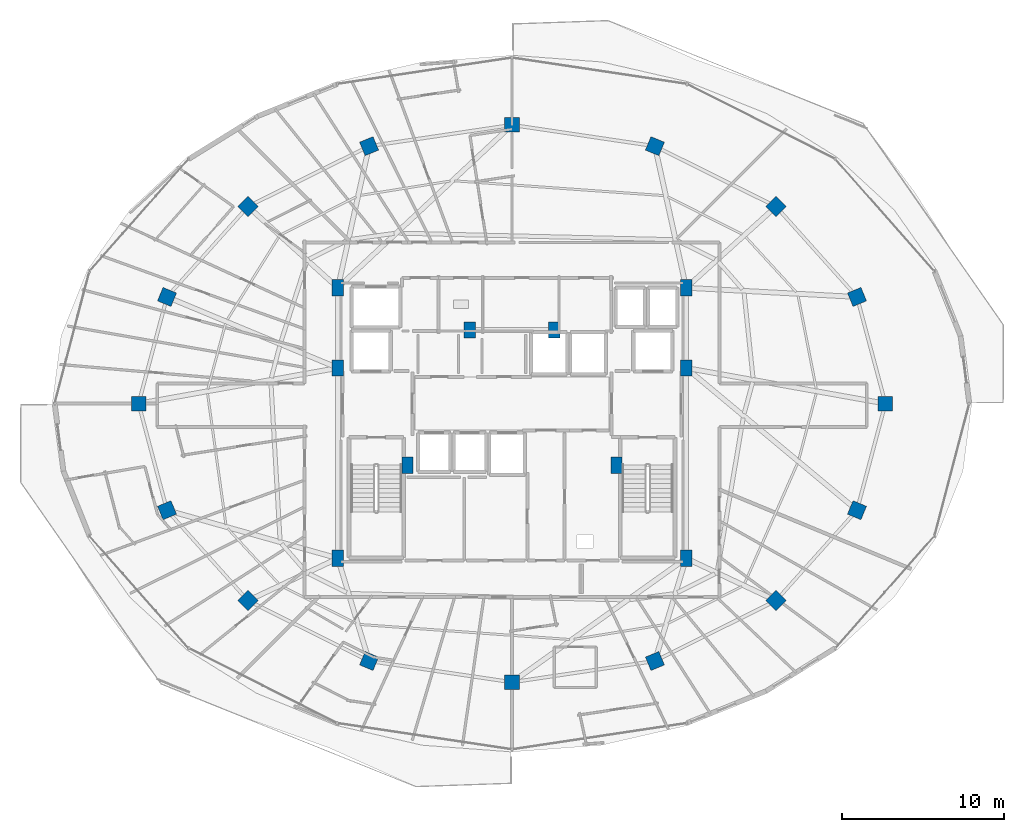
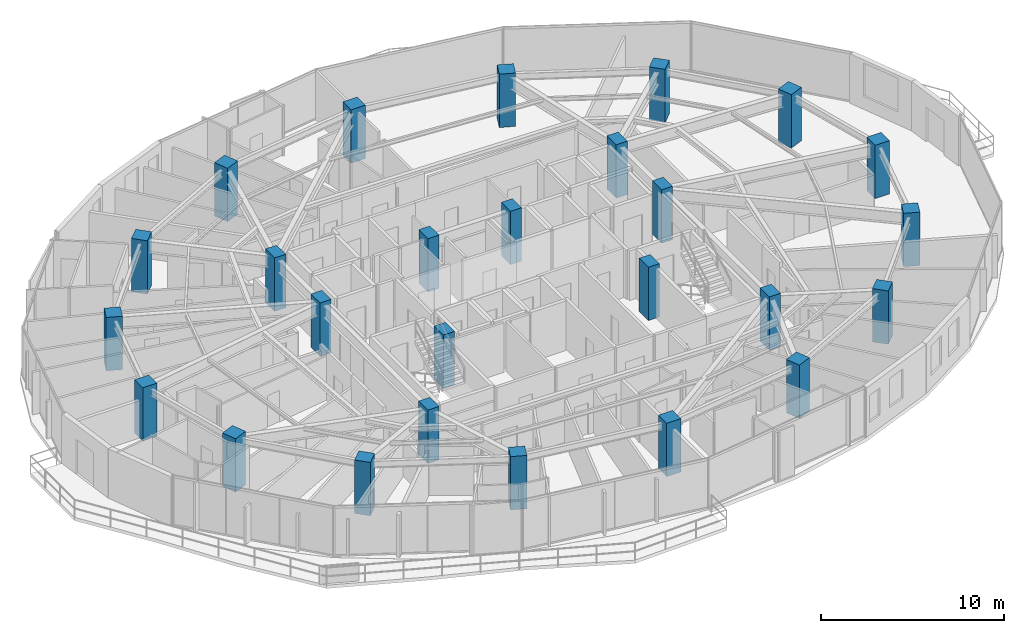
# One storey, part 1 of 33: 26 columns.
"""IFC4 building model written with IfcOpenShell, lengths in metres."""

from ifc_helpers import new_model, si_unit, direction, frame, origin, origin_2d, place, context, subcontext, project, spatial, rectangle, extrude, material, material_profile, profile_set, type_object, element, save


model = new_model("IFC4")

# Units and contexts
model_context = context("Model", 3, precision=1e-05, world=origin(), true_north=direction((0.0, 1.0)))
body_context = subcontext(model_context, "Body", "Model", "MODEL_VIEW")
ifc_project = project(units=[si_unit("LENGTHUNIT", "METRE"), si_unit("AREAUNIT", "SQUARE_METRE"), si_unit("VOLUMEUNIT", "CUBIC_METRE"), si_unit("PLANEANGLEUNIT", "RADIAN"), si_unit("MASSUNIT", "GRAM", prefix="KILO")], contexts=[model_context])

# Site, building, storey
site_placement = place(None, origin())
site = spatial("IfcSite", under=ifc_project, at=site_placement, CompositionType="ELEMENT")
building_placement = place(site_placement, origin())
building = spatial("IfcBuilding", under=site, at=building_placement, Name="Vorneva Point Tower", CompositionType="ELEMENT")
storey_placement = place(building_placement, frame((0.0, 0.0, 200.10009765625)))
storey = spatial("IfcBuildingStorey", under=building, at=storey_placement, Name="L54", CompositionType="ELEMENT", Elevation=200.10009765625)

# Columns
ifc_material = material(Name="Concrete B50 (C40/50)", Category="concrete")
ifc_material_profile_1 = material_profile(ifc_material, rectangle(XDim=0.89990234375, YDim=0.89990234375, at=origin_2d()), Name="RC-COL 900x900")
ifc_profile_set_1 = profile_set([ifc_material_profile_1], Name="Concrete B50 (C40/50)")
column_type_1 = type_object("IfcColumnType", Name="COL-RC900", PredefinedType="COLUMN", material=ifc_profile_set_1)
for number, where, z_axis, x_axis, name in (
    (1, (61.050048828125, 26.0, 0.0), (0.0, 0.0, 1.0), (1.0, 0.0, 0.0), "L54 Perimeter Column P01"),
    (2, (59.29541015625, 32.582275390625, 0.0), (0.0, 0.0, 1.0), (0.923879532511, 0.382683432365, 0.0), "L54 Perimeter Column P02"),
    (3, (54.298828125, 38.162109375, 0.0), (0.0, 0.0, 1.0), (0.707106781187, 0.707106781187, 0.0), "L54 Perimeter Column P03"),
    (4, (46.82080078125, 41.890625, 0.0), (0.0, 0.0, 1.0), (0.382683432365, 0.923879532511, 0.0), "L54 Perimeter Column P04"),
    (5, (38.0, 43.199951171875, 0.0), (0.0, 0.0, 1.0), (0.0, 1.0, 0.0), "L54 Perimeter Column P05"),
    (6, (29.17919921875, 41.890625, 0.0), (0.0, 0.0, 1.0), (-0.382683432365, 0.923879532511, 0.0), "L54 Perimeter Column P06"),
    (7, (21.701171875, 38.162109375, 0.0), (0.0, 0.0, 1.0), (-0.707106781187, 0.707106781187, 0.0), "L54 Perimeter Column P07"),
    (8, (16.70458984375, 32.582275390625, 0.0), (0.0, 0.0, 1.0), (-0.923879532511, 0.382683432365, 0.0), "L54 Perimeter Column P08"),
    (9, (14.949951171875, 26.0, 0.0), (0.0, 0.0, 1.0), (-1.0, 0.0, 0.0), "L54 Perimeter Column P09"),
    (10, (16.70458984375, 19.417724609375, 0.0), (0.0, 0.0, 1.0), (-0.923879532511, -0.382683432365, 0.0), "L54 Perimeter Column P10"),
    (11, (21.701171875, 13.837890625, 0.0), (0.0, 0.0, 1.0), (-0.707106781187, -0.707106781187, 0.0), "L54 Perimeter Column P11"),
    (12, (29.17919921875, 10.109375, 0.0), (0.0, 0.0, 1.0), (-0.382683432365, -0.923879532511, 0.0), "L54 Perimeter Column P12"),
    (13, (38.0, 8.800048828125, 0.0), (0.0, 0.0, 1.0), (0.0, -1.0, 0.0), "L54 Perimeter Column P13"),
    (14, (46.82080078125, 10.109375, 0.0), (0.0, 0.0, 1.0), (0.382683432365, -0.923879532511, 0.0), "L54 Perimeter Column P14"),
    (15, (54.298828125, 13.837890625, 0.0), (0.0, 0.0, 1.0), (0.707106781187, -0.707106781187, 0.0), "L54 Perimeter Column P15"),
    (16, (59.29541015625, 19.417724609375, 0.0), (0.0, 0.0, 1.0), (0.923879532511, -0.382683432365, 0.0), "L54 Perimeter Column P16"),
):
    element("IfcColumn", number, at=place(storey_placement, frame(where, z_axis=z_axis, x_axis=x_axis)), inside=storey, type_object=column_type_1, Name=name, PredefinedType="COLUMN", context=body_context, shape_type="SweptSolid", body=[
        extrude(rectangle(XDim=0.89990234375, YDim=0.89990234375, at=origin_2d()), origin(), (0.0, 0.0, 1.0), 3.5498046875),
    ])
ifc_material_profile_2 = material_profile(ifc_material, rectangle(XDim=0.699951171875, YDim=1.0, at=origin_2d()), Name="RC-PIL 1000x700")
ifc_profile_set_2 = profile_set([ifc_material_profile_2], Name="Concrete B50 (C40/50)")
column_type_2 = type_object("IfcColumnType", Name="PIL-RC1000x700", PredefinedType="PILASTER", material=ifc_profile_set_2)
for number, where, z_axis, x_axis, name in (
    (17, (27.25, 16.449951171875, 0.0), (0.0, 0.0, 1.0), (1.0, 0.0, 0.0), "L54 Core Pilaster CP1"),
    (18, (27.25, 28.199951171875, 0.0), (0.0, 0.0, 1.0), (1.0, 0.0, 0.0), "L54 Core Pilaster CP2"),
    (19, (27.25, 33.14990234375, 0.0), (0.0, 0.0, 1.0), (1.0, 0.0, 0.0), "L54 Core Pilaster CP3"),
    (20, (31.550048828125, 22.199951171875, 0.0), (0.0, 0.0, 1.0), (1.0, 0.0, 0.0), "L54 Core Pilaster CP4"),
    (21, (48.75, 33.14990234375, 0.0), (0.0, 0.0, 1.0), (1.0, 0.0, 0.0), "L54 Core Pilaster CP5"),
    (22, (48.75, 28.199951171875, 0.0), (0.0, 0.0, 1.0), (1.0, 0.0, 0.0), "L54 Core Pilaster CP6"),
    (23, (48.75, 16.449951171875, 0.0), (0.0, 0.0, 1.0), (1.0, 0.0, 0.0), "L54 Core Pilaster CP7"),
    (24, (44.449951171875, 22.199951171875, 0.0), (0.0, 0.0, 1.0), (1.0, 0.0, 0.0), "L54 Core Pilaster CP8"),
    (25, (35.39990234375, 30.550048828125, 0.0), (0.0, 0.0, 1.0), (1.0, 0.0, 0.0), "L54 Core Pilaster CP9"),
    (26, (40.60009765625, 30.550048828125, 0.0), (0.0, 0.0, 1.0), (1.0, 0.0, 0.0), "L54 Core Pilaster CP10"),
):
    element("IfcColumn", number, at=place(storey_placement, frame(where, z_axis=z_axis, x_axis=x_axis)), inside=storey, type_object=column_type_2, Name=name, PredefinedType="PILASTER", context=body_context, shape_type="SweptSolid", body=[
        extrude(rectangle(XDim=0.699951171875, YDim=1.0, at=origin_2d()), origin(), (0.0, 0.0, 1.0), 3.5498046875),
    ])

save(model, "model.ifc")
